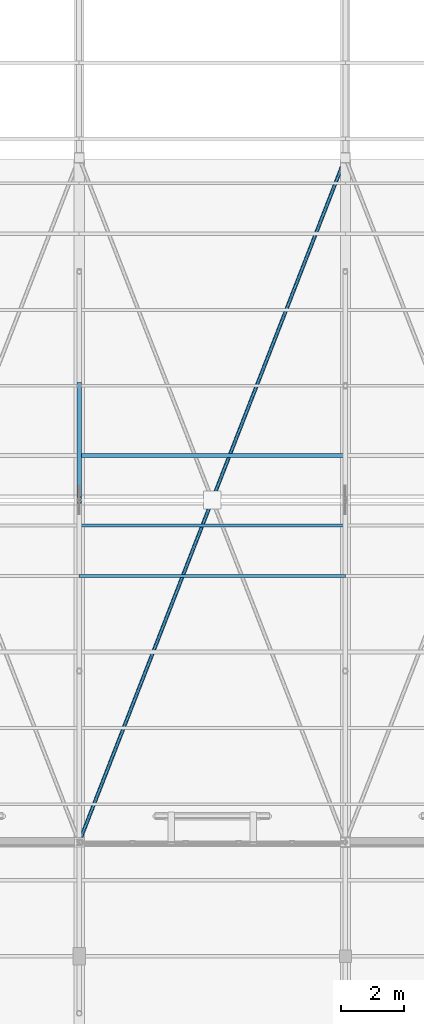
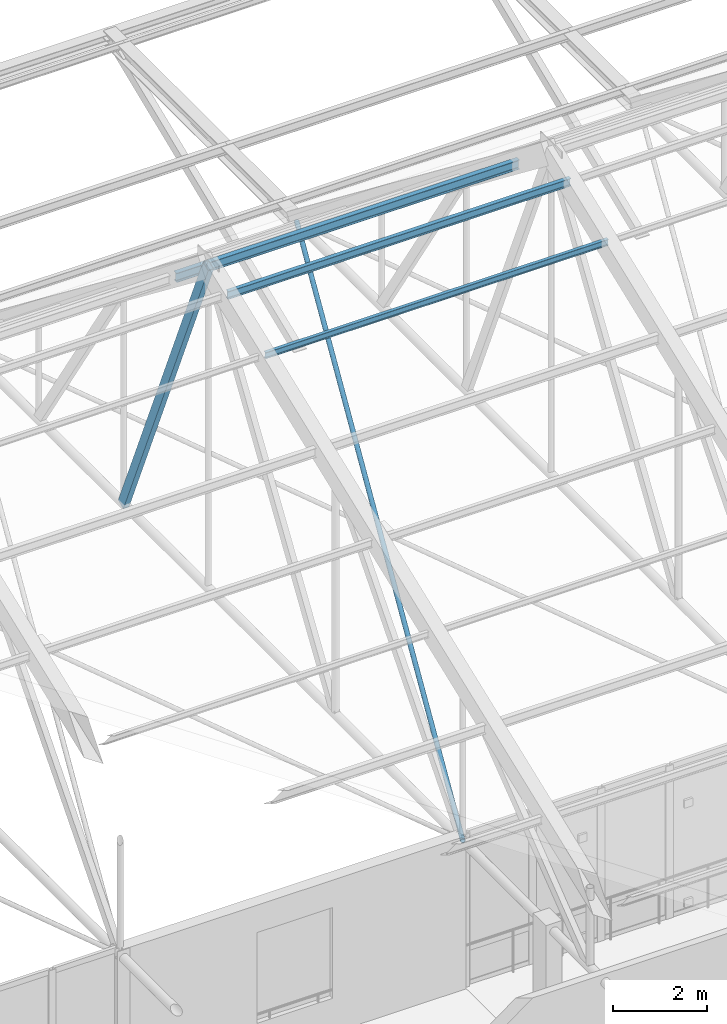
# One storey, part 121 of 217: 5 members.
"""IFC4 building model written with IfcOpenShell, lengths in metres."""

from ifc_helpers import new_model, si_unit, direction, frame, origin, origin_2d, place, context, subcontext, project, spatial, hollow_rectangle, hollow_circle, i_section, extrude, material, material_profile, profile_set, type_object, element, save


model = new_model("IFC4")

# Units and contexts
model_context = context("Model", 3, precision=1e-05, world=origin(), true_north=direction((0.0, 1.0)))
body_context = subcontext(model_context, "Body", "Model", "MODEL_VIEW")
ifc_project = project(units=[si_unit("LENGTHUNIT", "METRE"), si_unit("AREAUNIT", "SQUARE_METRE"), si_unit("VOLUMEUNIT", "CUBIC_METRE"), si_unit("PLANEANGLEUNIT", "RADIAN"), si_unit("MASSUNIT", "GRAM", prefix="KILO")], contexts=[model_context])

# Site, building, storey
site_placement = place(None, origin())
site = spatial("IfcSite", under=ifc_project, at=site_placement, CompositionType="ELEMENT")
building_placement = place(site_placement, origin())
building = spatial("IfcBuilding", under=site, at=building_placement, Name="Mazaris Harbour Polytechnic", CompositionType="ELEMENT")
storey_placement = place(building_placement, frame((0.0, 0.0, 9.60009765625)))
storey = spatial("IfcBuildingStorey", under=building, at=storey_placement, Name="L02", CompositionType="ELEMENT", Elevation=9.60009765625)

# Members
ifc_material_1 = material(Name="Steel S355", Category="steel")
ifc_material_profile_1 = material_profile(ifc_material_1, i_section(OverallWidth=0.08203125, OverallDepth=0.159912109375, WebThickness=0.0048828125, FlangeThickness=0.00732421875, FilletRadius=0.009033203125, at=origin_2d()), Name="IPE 160")
ifc_profile_set_1 = profile_set([ifc_material_profile_1], Name="Steel S355")
member_type_1 = type_object("IfcMemberType", Name="Steel Purlin IPE160", PredefinedType="PURLIN", material=ifc_profile_set_1)
member_1_placement = place(storey_placement, frame((87.60009765625, 94.800048828125, 11.23779296875), z_axis=(1.0, 0.0, 0.0), x_axis=(0.0, 1.0, 0.0)))
element("IfcMember", 1, at=member_1_placement, inside=storey, type_object=member_type_1, Name="V1 Roof Purlin S-96", PredefinedType="PURLIN", context=body_context, shape_type="SweptSolid", body=[
    extrude(i_section(OverallWidth=0.08203125, OverallDepth=0.159912109375, WebThickness=0.0048828125, FlangeThickness=0.00732421875, FilletRadius=0.009033203125, at=origin_2d()), origin(), (0.0, 0.0, 1.0), 8.39990234375),
])
ifc_material_2 = material(Name="Steel S355", Category="steel")
ifc_material_profile_2 = material_profile(ifc_material_2, i_section(OverallWidth=0.10009765625, OverallDepth=0.199951171875, WebThickness=0.005615234375, FlangeThickness=0.008544921875, FilletRadius=0.011962890625, at=origin_2d()), Name="IPE 200")
ifc_profile_set_2 = profile_set([ifc_material_profile_2], Name="Steel S355")
member_type_2 = type_object("IfcMemberType", Name="Steel Purlin IPE200", PredefinedType="PURLIN", material=ifc_profile_set_2)
member_2_placement = place(storey_placement, frame((87.60009765625, 96.39990234375, 11.833740234375), z_axis=(1.0, 0.0, 0.0), x_axis=(0.0, 1.0, 0.0)))
element("IfcMember", 2, at=member_2_placement, inside=storey, type_object=member_type_2, Name="V1 Roof Purlin S-97", PredefinedType="PURLIN", context=body_context, shape_type="SweptSolid", body=[
    extrude(i_section(OverallWidth=0.10009765625, OverallDepth=0.199951171875, WebThickness=0.005615234375, FlangeThickness=0.008544921875, FilletRadius=0.011962890625, at=origin_2d()), origin(), (0.0, 0.0, 1.0), 8.39990234375),
])
ifc_material_3 = material(Name="Steel S355", Category="steel")
ifc_material_profile_3 = material_profile(ifc_material_3, i_section(OverallWidth=0.1201171875, OverallDepth=0.239990234375, WebThickness=0.006103515625, FlangeThickness=0.009765625, FilletRadius=0.014892578125, at=origin_2d()), Name="IPE 240")
ifc_profile_set_3 = profile_set([ifc_material_profile_3], Name="Steel S355")
member_type_3 = type_object("IfcMemberType", Name="Steel Purlin IPE240", PredefinedType="PURLIN", material=ifc_profile_set_3)
member_3_placement = place(storey_placement, frame((87.60009765625, 98.60009765625, 10.9609375), z_axis=(1.0, 0.0, 0.0), x_axis=(0.0, 1.0, 0.0)))
element("IfcMember", 3, at=member_3_placement, inside=storey, type_object=member_type_3, Name="V1 Roof Purlin N-98", PredefinedType="PURLIN", context=body_context, shape_type="SweptSolid", body=[
    extrude(i_section(OverallWidth=0.1201171875, OverallDepth=0.239990234375, WebThickness=0.006103515625, FlangeThickness=0.009765625, FilletRadius=0.014892578125, at=origin_2d()), origin(), (0.0, 0.0, 1.0), 8.39990234375),
])
ifc_material_4 = material(Name="Steel S355", Category="steel")
ifc_material_profile_4 = material_profile(ifc_material_4, hollow_rectangle(XDim=0.139892578125, YDim=0.239990234375, WallThickness=0.010009765625, at=origin_2d()), Name="RHS 140x240x10.0")
ifc_profile_set_4 = profile_set([ifc_material_profile_4], Name="Steel S355")
member_type_4 = type_object("IfcMemberType", Name="Steel Truss Diagonal RHS140x240", PredefinedType="BRACE", material=ifc_profile_set_4)
member_4_placement = place(storey_placement, frame((87.60009765625, 100.800048828125, 3.75), z_axis=(0.0, -0.395924210908, 0.918283191187), x_axis=(1.0, 0.0, 0.0)))
element("IfcMember", 4, at=member_4_placement, inside=storey, type_object=member_type_4, Name="Truss 5 Web Diagonal N1", PredefinedType="BRACE", context=body_context, shape_type="SweptSolid", body=[
    extrude(hollow_rectangle(XDim=0.139892578125, YDim=0.239990234375, WallThickness=0.010009765625, at=origin_2d()), origin(), (0.0, 0.0, 1.0), 9.093017578125),
])
ifc_material_5 = material(Name="Steel S355", Category="steel")
ifc_material_profile_5 = material_profile(ifc_material_5, hollow_circle(Radius=0.05712890625, WallThickness=0.00634765625, at=origin_2d()), Name="CHS 114.3x6.3")
ifc_profile_set_5 = profile_set([ifc_material_profile_5], Name="Steel S355")
member_type_5 = type_object("IfcMemberType", Name="Steel Wind Brace CHS114", PredefinedType="BRACE", material=ifc_profile_set_5)
member_5_placement = place(storey_placement, frame((87.60009765625, 86.39990234375, 3.75), z_axis=(0.3624411776, 0.932006648463, 0.0), x_axis=(-0.932006648463, 0.3624411776, 0.0)))
element("IfcMember", 5, at=member_5_placement, inside=storey, type_object=member_type_5, Name="V1 Continuous Roof Wind Brace 5A", PredefinedType="BRACE", context=body_context, shape_type="SweptSolid", body=[
    extrude(hollow_circle(Radius=0.05712890625, WallThickness=0.00634765625, at=origin_2d()), origin(), (0.0, 0.0, 1.0), 23.176025390625),
])

save(model, "model.ifc")
